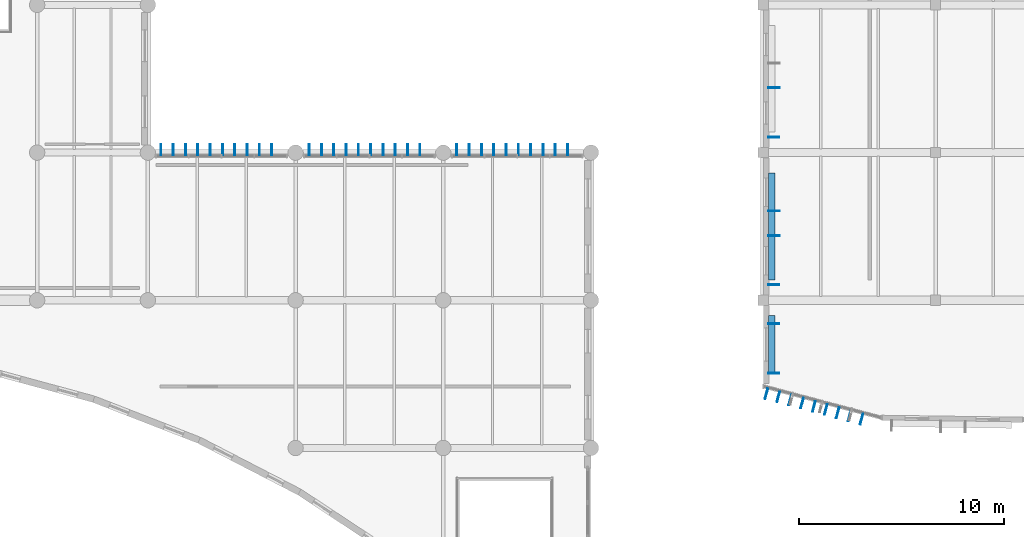
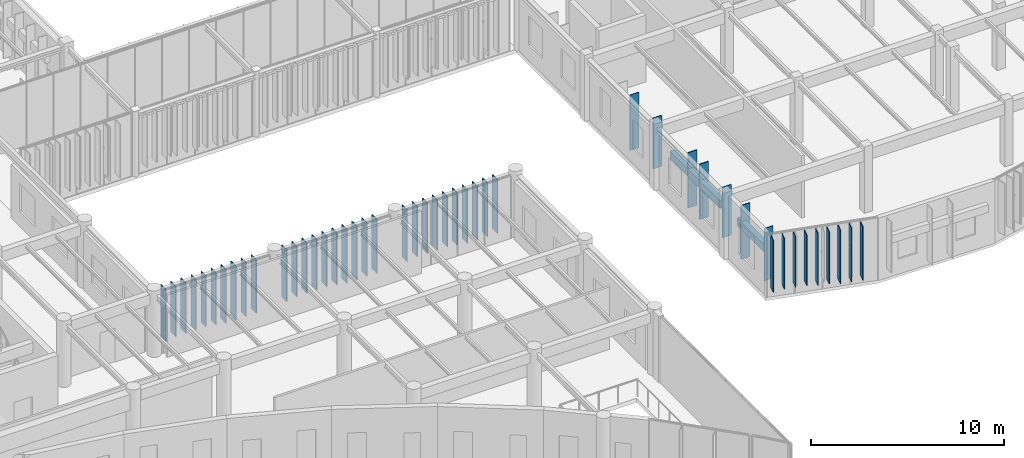
# One storey, part 21 of 122: 48 plates.
"""IFC4 building model written with IfcOpenShell, lengths in metres."""

from ifc_helpers import new_model, si_unit, direction, frame, origin, origin_2d, place, context, subcontext, project, spatial, rectangle, extrude, material, layer, layer_set, type_object, element, save


model = new_model("IFC4")

# Units and contexts
model_context = context("Model", 3, precision=1e-05, world=origin(), true_north=direction((0.0, 1.0)))
body_context = subcontext(model_context, "Body", "Model", "MODEL_VIEW")
ifc_project = project(units=[si_unit("LENGTHUNIT", "METRE"), si_unit("AREAUNIT", "SQUARE_METRE"), si_unit("VOLUMEUNIT", "CUBIC_METRE"), si_unit("PLANEANGLEUNIT", "RADIAN"), si_unit("MASSUNIT", "GRAM", prefix="KILO")], contexts=[model_context])

# Site, building, storey
site_placement = place(None, origin())
site = spatial("IfcSite", under=ifc_project, at=site_placement, CompositionType="ELEMENT")
building_placement = place(site_placement, origin())
building = spatial("IfcBuilding", under=site, at=building_placement, Name="Tazoul Stagehouse", CompositionType="ELEMENT")
storey_placement = place(building_placement, frame((0.0, 0.0, 4.800048828125)))
storey = spatial("IfcBuildingStorey", under=building, at=storey_placement, Name="L01", CompositionType="ELEMENT", Elevation=4.800048828125)

# Plates
ifc_material = material(Name="Anodised Bronze Aluminium 6063-T6", Category="aluminium")
ifc_layer_1 = layer(ifc_material, 0.52001953125, Name="Anodised Bronze Aluminium 6063-T6")
ifc_layer_set_1 = layer_set([ifc_layer_1], Name="Anodised Bronze Aluminium 6063-T6")
plate_type_1 = type_object("IfcPlateType", Name="Parametric Terracotta-Bronze Solar Fin 520x3200", PredefinedType="USERDEFINED", material=ifc_layer_set_1)
for number, where, z_axis, x_axis, name in (
    (1, (96.639892578125, 30.340087890625, 0.68994140625), (0.0, 0.0, 1.0), (1.0, 0.0, 0.0), "L01 Parametric Solar Fin SFN-18 (CW-V5-NRET-E-L01-B1-02)"),
    (2, (97.239990234375, 30.340087890625, 0.68994140625), (0.0, 0.0, 1.0), (1.0, 0.0, 0.0), "L01 Parametric Solar Fin SFN-18 (CW-V5-NRET-E-L01-B1-03)"),
    (3, (97.840087890625, 30.340087890625, 0.68994140625), (0.0, 0.0, 1.0), (1.0, 0.0, 0.0), "L01 Parametric Solar Fin SFN-18 (CW-V5-NRET-E-L01-B1-04)"),
    (4, (98.43994140625, 30.340087890625, 0.68994140625), (0.0, 0.0, 1.0), (1.0, 0.0, 0.0), "L01 Parametric Solar Fin SFN-18 (CW-V5-NRET-E-L01-B1-05)"),
    (5, (103.864990234375, 30.340087890625, 0.68994140625), (0.0, 0.0, 1.0), (1.0, 0.0, 0.0), "L01 Parametric Solar Fin SFN-18 (CW-V5-NRET-E-L01-B2-02)"),
    (6, (104.465087890625, 30.340087890625, 0.68994140625), (0.0, 0.0, 1.0), (1.0, 0.0, 0.0), "L01 Parametric Solar Fin SFN-18 (CW-V5-NRET-E-L01-B2-03)"),
    (7, (105.06494140625, 30.340087890625, 0.68994140625), (0.0, 0.0, 1.0), (1.0, 0.0, 0.0), "L01 Parametric Solar Fin SFN-18 (CW-V5-NRET-E-L01-B2-04)"),
    (8, (105.6650390625, 30.340087890625, 0.68994140625), (0.0, 0.0, 1.0), (1.0, 0.0, 0.0), "L01 Parametric Solar Fin SFN-18 (CW-V5-NRET-E-L01-B2-05)"),
    (9, (111.06494140625, 30.340087890625, 0.68994140625), (0.0, 0.0, 1.0), (1.0, 0.0, 0.0), "L01 Parametric Solar Fin SFN-18 (CW-V5-NRET-E-L01-B3-02)"),
    (10, (111.6650390625, 30.340087890625, 0.68994140625), (0.0, 0.0, 1.0), (1.0, 0.0, 0.0), "L01 Parametric Solar Fin SFN-18 (CW-V5-NRET-E-L01-B3-03)"),
    (11, (112.264892578125, 30.340087890625, 0.68994140625), (0.0, 0.0, 1.0), (1.0, 0.0, 0.0), "L01 Parametric Solar Fin SFN-18 (CW-V5-NRET-E-L01-B3-04)"),
    (12, (112.864990234375, 30.340087890625, 0.68994140625), (0.0, 0.0, 1.0), (1.0, 0.0, 0.0), "L01 Parametric Solar Fin SFN-18 (CW-V5-NRET-E-L01-B3-05)"),
    (13, (126.134765625, 18.294189453125, 0.68994140625), (0.0, 0.0, 1.0), (0.966413318036, -0.256992798969, 0.0), "L01 Parametric Solar Fin SFN-18 (CW-V4-DRUM-L01-S01-02)"),
    (14, (126.714599609375, 18.139892578125, 0.68994140625), (0.0, 0.0, 1.0), (0.966413318036, -0.256992798969, 0.0), "L01 Parametric Solar Fin SFN-18 (CW-V4-DRUM-L01-S01-03)"),
    (15, (127.29443359375, 17.98583984375, 0.68994140625), (0.0, 0.0, 1.0), (0.966413318036, -0.256992798969, 0.0), "L01 Parametric Solar Fin SFN-18 (CW-V4-DRUM-L01-S01-04)"),
    (16, (125.909912109375, 23.7548828125, 0.6201171875), (0.0, 0.0, 1.0), (0.0, 1.0, 0.0), "L01 Parametric Solar Fin SFN-18 (WALL-V4-W-L01-S2-01)"),
    (17, (125.909912109375, 30.955078125, 0.6201171875), (0.0, 0.0, 1.0), (0.0, 1.0, 0.0), "L01 Parametric Solar Fin SFN-18 (WALL-V4-W-L01-S3-01)"),
):
    element("IfcPlate", number, at=place(storey_placement, frame(where, z_axis=z_axis, x_axis=x_axis)), inside=storey, type_object=plate_type_1, Name=name, ObjectType="SOLAR FIN", PredefinedType="USERDEFINED", context=body_context, shape_type="SweptSolid", body=[
        extrude(rectangle(XDim=0.044921875, YDim=0.52001953125, at=origin_2d()), origin(), (0.0, 0.0, 1.0), 3.199951171875),
    ])
ifc_layer_2 = layer(ifc_material, 0.530029296875, Name="Anodised Bronze Aluminium 6063-T6")
ifc_layer_set_2 = layer_set([ifc_layer_2], Name="Anodised Bronze Aluminium 6063-T6")
plate_type_2 = type_object("IfcPlateType", Name="Parametric Terracotta-Bronze Solar Fin 530x3300", PredefinedType="USERDEFINED", material=ifc_layer_set_2)
for number, where, z_axis, x_axis, name in (
    (18, (96.0400390625, 30.344970703125, 0.58984375), (0.0, 0.0, 1.0), (1.0, 0.0, 0.0), "L01 Parametric Solar Fin SFN-19 (CW-V5-NRET-E-L01-B1-01)"),
    (19, (99.0400390625, 30.344970703125, 0.58984375), (0.0, 0.0, 1.0), (1.0, 0.0, 0.0), "L01 Parametric Solar Fin SFN-19 (CW-V5-NRET-E-L01-B1-06)"),
    (20, (103.264892578125, 30.344970703125, 0.58984375), (0.0, 0.0, 1.0), (1.0, 0.0, 0.0), "L01 Parametric Solar Fin SFN-19 (CW-V5-NRET-E-L01-B2-01)"),
    (21, (106.264892578125, 30.344970703125, 0.58984375), (0.0, 0.0, 1.0), (1.0, 0.0, 0.0), "L01 Parametric Solar Fin SFN-19 (CW-V5-NRET-E-L01-B2-06)"),
    (22, (110.465087890625, 30.344970703125, 0.58984375), (0.0, 0.0, 1.0), (1.0, 0.0, 0.0), "L01 Parametric Solar Fin SFN-19 (CW-V5-NRET-E-L01-B3-01)"),
    (23, (113.465087890625, 30.344970703125, 0.58984375), (0.0, 0.0, 1.0), (1.0, 0.0, 0.0), "L01 Parametric Solar Fin SFN-19 (CW-V5-NRET-E-L01-B3-06)"),
    (24, (125.5537109375, 18.443603515625, 0.58984375), (0.0, 0.0, 1.0), (0.966413318036, -0.256992798969, 0.0), "L01 Parametric Solar Fin SFN-19 (CW-V4-DRUM-L01-S01-01)"),
    (25, (127.872802734375, 17.826904296875, 0.58984375), (0.0, 0.0, 1.0), (0.966413318036, -0.256992798969, 0.0), "L01 Parametric Solar Fin SFN-19 (CW-V4-DRUM-L01-S01-05)"),
    (26, (128.452880859375, 17.672607421875, 0.58984375), (0.0, 0.0, 1.0), (0.966413318036, -0.256992798969, 0.0), "L01 Parametric Solar Fin SFN-19 (CW-V4-DRUM-L01-S01-06)"),
    (27, (125.9150390625, 19.449951171875, 0.52001953125), (0.0, 0.0, 1.0), (0.0, 1.0, 0.0), "L01 Parametric Solar Fin SFN-19 (WALL-V4-W-L01-S1-01)"),
):
    element("IfcPlate", number, at=place(storey_placement, frame(where, z_axis=z_axis, x_axis=x_axis)), inside=storey, type_object=plate_type_2, Name=name, ObjectType="SOLAR FIN", PredefinedType="USERDEFINED", context=body_context, shape_type="SweptSolid", body=[
        extrude(rectangle(XDim=0.044921875, YDim=0.530029296875, at=origin_2d()), origin(), (0.0, 0.0, 1.0), 3.300048828125),
    ])
ifc_layer_3 = layer(ifc_material, 0.5400390625, Name="Anodised Bronze Aluminium 6063-T6")
ifc_layer_set_3 = layer_set([ifc_layer_3], Name="Anodised Bronze Aluminium 6063-T6")
plate_type_3 = type_object("IfcPlateType", Name="Parametric Terracotta-Bronze Solar Fin 540x3400", PredefinedType="USERDEFINED", material=ifc_layer_set_3)
for number, where, z_axis, x_axis, name in (
    (28, (99.639892578125, 30.35009765625, 0.489990234375), (0.0, 0.0, 1.0), (1.0, 0.0, 0.0), "L01 Parametric Solar Fin SFN-20 (CW-V5-NRET-E-L01-B1-07)"),
    (29, (100.239990234375, 30.35009765625, 0.489990234375), (0.0, 0.0, 1.0), (1.0, 0.0, 0.0), "L01 Parametric Solar Fin SFN-20 (CW-V5-NRET-E-L01-B1-08)"),
    (30, (100.840087890625, 30.35009765625, 0.489990234375), (0.0, 0.0, 1.0), (1.0, 0.0, 0.0), "L01 Parametric Solar Fin SFN-20 (CW-V5-NRET-E-L01-B1-09)"),
    (31, (101.43994140625, 30.35009765625, 0.489990234375), (0.0, 0.0, 1.0), (1.0, 0.0, 0.0), "L01 Parametric Solar Fin SFN-20 (CW-V5-NRET-E-L01-B1-10)"),
    (32, (106.864990234375, 30.35009765625, 0.489990234375), (0.0, 0.0, 1.0), (1.0, 0.0, 0.0), "L01 Parametric Solar Fin SFN-20 (CW-V5-NRET-E-L01-B2-07)"),
    (33, (107.465087890625, 30.35009765625, 0.489990234375), (0.0, 0.0, 1.0), (1.0, 0.0, 0.0), "L01 Parametric Solar Fin SFN-20 (CW-V5-NRET-E-L01-B2-08)"),
    (34, (108.06494140625, 30.35009765625, 0.489990234375), (0.0, 0.0, 1.0), (1.0, 0.0, 0.0), "L01 Parametric Solar Fin SFN-20 (CW-V5-NRET-E-L01-B2-09)"),
    (35, (108.6650390625, 30.35009765625, 0.489990234375), (0.0, 0.0, 1.0), (1.0, 0.0, 0.0), "L01 Parametric Solar Fin SFN-20 (CW-V5-NRET-E-L01-B2-10)"),
    (36, (114.06494140625, 30.35009765625, 0.489990234375), (0.0, 0.0, 1.0), (1.0, 0.0, 0.0), "L01 Parametric Solar Fin SFN-20 (CW-V5-NRET-E-L01-B3-07)"),
    (37, (114.6650390625, 30.35009765625, 0.489990234375), (0.0, 0.0, 1.0), (1.0, 0.0, 0.0), "L01 Parametric Solar Fin SFN-20 (CW-V5-NRET-E-L01-B3-08)"),
    (38, (115.264892578125, 30.35009765625, 0.489990234375), (0.0, 0.0, 1.0), (1.0, 0.0, 0.0), "L01 Parametric Solar Fin SFN-20 (CW-V5-NRET-E-L01-B3-09)"),
    (39, (115.864990234375, 30.35009765625, 0.489990234375), (0.0, 0.0, 1.0), (1.0, 0.0, 0.0), "L01 Parametric Solar Fin SFN-20 (CW-V5-NRET-E-L01-B3-10)"),
    (40, (129.031494140625, 17.513671875, 0.489990234375), (0.0, 0.0, 1.0), (0.966413318036, -0.256992798969, 0.0), "L01 Parametric Solar Fin SFN-20 (CW-V4-DRUM-L01-S01-07)"),
    (41, (129.611083984375, 17.359375, 0.489990234375), (0.0, 0.0, 1.0), (0.966413318036, -0.256992798969, 0.0), "L01 Parametric Solar Fin SFN-20 (CW-V4-DRUM-L01-S01-08)"),
    (42, (130.191162109375, 17.205078125, 0.489990234375), (0.0, 0.0, 1.0), (0.966413318036, -0.256992798969, 0.0), "L01 Parametric Solar Fin SFN-20 (CW-V4-DRUM-L01-S01-09)"),
    (43, (125.919921875, 21.85009765625, 0.419921875), (0.0, 0.0, 1.0), (0.0, 1.0, 0.0), "L01 Parametric Solar Fin SFN-20 (WALL-V4-W-L01-S1-03)"),
):
    element("IfcPlate", number, at=place(storey_placement, frame(where, z_axis=z_axis, x_axis=x_axis)), inside=storey, type_object=plate_type_3, Name=name, ObjectType="SOLAR FIN", PredefinedType="USERDEFINED", context=body_context, shape_type="SweptSolid", body=[
        extrude(rectangle(XDim=0.044921875, YDim=0.5400390625, at=origin_2d()), origin(), (0.0, 0.0, 1.0), 3.39990234375),
    ])
ifc_layer_4 = layer(ifc_material, 0.550048828125, Name="Anodised Bronze Aluminium 6063-T6")
ifc_layer_set_4 = layer_set([ifc_layer_4], Name="Anodised Bronze Aluminium 6063-T6")
plate_type_4 = type_object("IfcPlateType", Name="Parametric Terracotta-Bronze Solar Fin 550x3500", PredefinedType="USERDEFINED", material=ifc_layer_set_4)
for number, where, z_axis, x_axis, name in (
    (44, (125.925048828125, 26.155029296875, 0.320068359375), (0.0, 0.0, 1.0), (0.0, 1.0, 0.0), "L01 Parametric Solar Fin SFN-21 (WALL-V4-W-L01-S2-03)"),
    (45, (125.925048828125, 27.35498046875, 0.320068359375), (0.0, 0.0, 1.0), (0.0, 1.0, 0.0), "L01 Parametric Solar Fin SFN-21 (WALL-V4-W-L01-S2-04)"),
    (46, (125.925048828125, 33.35498046875, 0.320068359375), (0.0, 0.0, 1.0), (0.0, 1.0, 0.0), "L01 Parametric Solar Fin SFN-21 (WALL-V4-W-L01-S3-03)"),
):
    element("IfcPlate", number, at=place(storey_placement, frame(where, z_axis=z_axis, x_axis=x_axis)), inside=storey, type_object=plate_type_4, Name=name, ObjectType="SOLAR FIN", PredefinedType="USERDEFINED", context=body_context, shape_type="SweptSolid", body=[
        extrude(rectangle(XDim=0.044921875, YDim=0.550048828125, at=origin_2d()), origin(), (0.0, 0.0, 1.0), 3.5),
    ])
ifc_layer_5 = layer(ifc_material, 0.320068359375, Name="Anodised Bronze Aluminium 6063-T6")
ifc_layer_set_5 = layer_set([ifc_layer_5], Name="Anodised Bronze Aluminium 6063-T6")
plate_type_5 = type_object("IfcPlateType", Name="Sculpted Facade Spandrel Ribbon 2800x480", PredefinedType="USERDEFINED", material=ifc_layer_set_5)
plate_1_placement = place(storey_placement, frame((125.81005859375, 20.847412109375, 2.321044921875), z_axis=(0.0, 0.0, 1.0), x_axis=(0.0, 1.0, 0.0)))
element("IfcPlate", 47, at=plate_1_placement, inside=storey, type_object=plate_type_5, Name="L01 Sculpted Facade Spandrel Ribbon FRB-03 (WALL-V4-W-L01-S1)", ObjectType="FACADE RIBBON", PredefinedType="USERDEFINED", context=body_context, shape_type="SweptSolid", body=[
    extrude(rectangle(XDim=2.800048828125, YDim=0.320068359375, at=origin_2d()), origin(), (0.0, 0.0, 1.0), 0.47998046875),
])
ifc_layer_6 = layer(ifc_material, 0.320068359375, Name="Anodised Bronze Aluminium 6063-T6")
ifc_layer_set_6 = layer_set([ifc_layer_6], Name="Anodised Bronze Aluminium 6063-T6")
plate_type_6 = type_object("IfcPlateType", Name="Sculpted Facade Spandrel Ribbon 5200x480", PredefinedType="USERDEFINED", material=ifc_layer_set_6)
plate_2_placement = place(storey_placement, frame((125.81005859375, 26.60009765625, 2.321044921875), z_axis=(0.0, 0.0, 1.0), x_axis=(0.0, 1.0, 0.0)))
element("IfcPlate", 48, at=plate_2_placement, inside=storey, type_object=plate_type_6, Name="L01 Sculpted Facade Spandrel Ribbon FRB-07 (WALL-V4-W-L01-S2)", ObjectType="FACADE RIBBON", PredefinedType="USERDEFINED", context=body_context, shape_type="SweptSolid", body=[
    extrude(rectangle(XDim=5.199951171875, YDim=0.320068359375, at=origin_2d()), origin(), (0.0, 0.0, 1.0), 0.47998046875),
])

save(model, "model.ifc")
